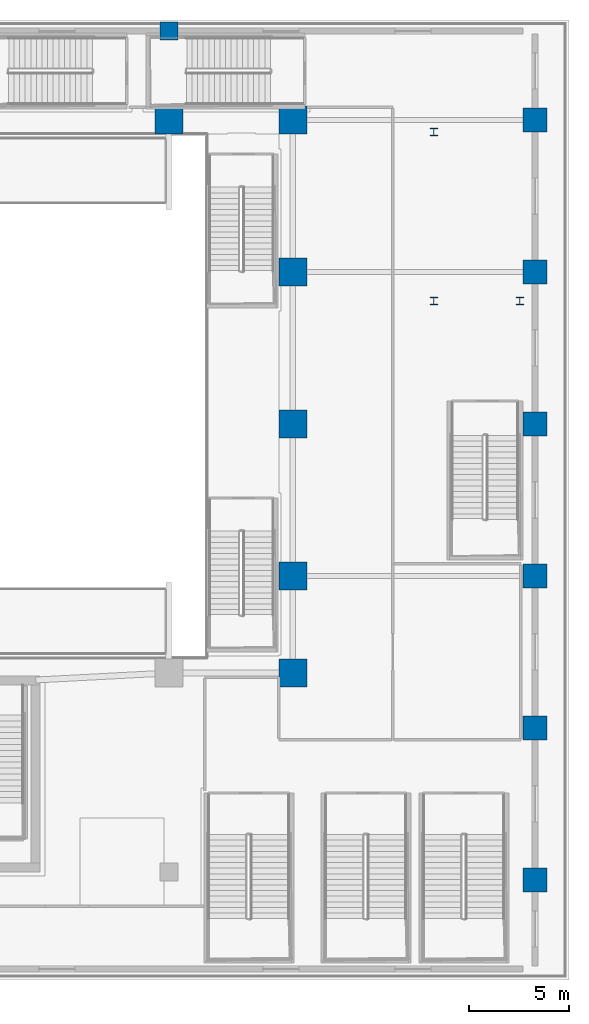
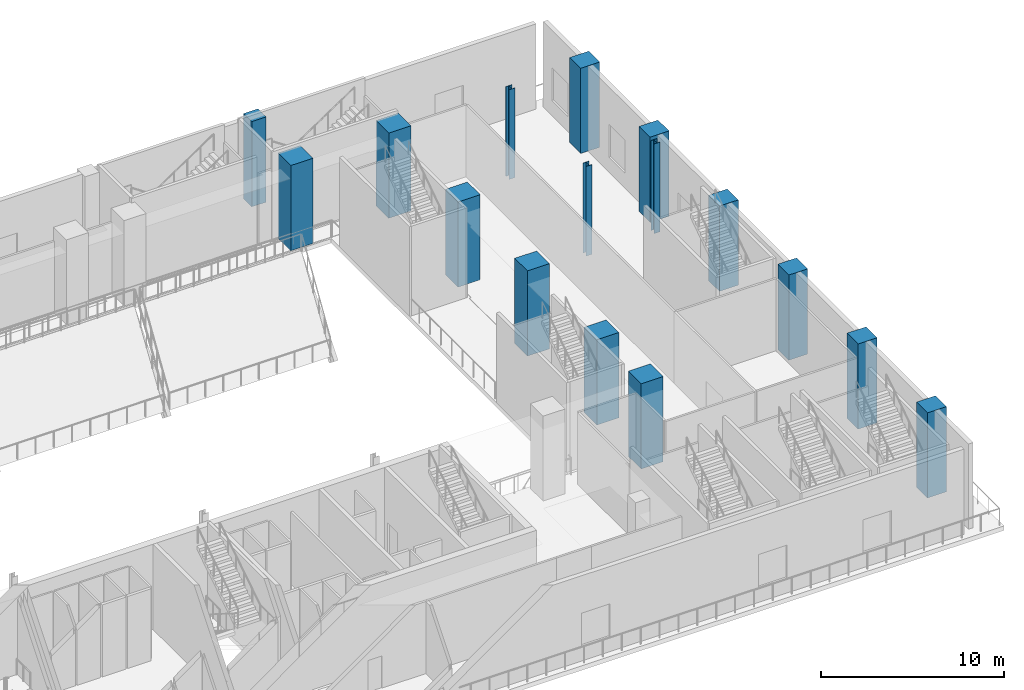
# One storey, part 4 of 30: 16 columns.
"""IFC4 building model written with IfcOpenShell, lengths in metres."""

from ifc_helpers import new_model, si_unit, direction, frame, origin, origin_2d, place, context, subcontext, project, spatial, rectangle, i_section, extrude, material, material_profile, profile_set, type_object, element, save


model = new_model("IFC4")

# Units and contexts
model_context = context("Model", 3, precision=1e-05, world=origin(), true_north=direction((0.0, 1.0)))
body_context = subcontext(model_context, "Body", "Model", "MODEL_VIEW")
ifc_project = project(units=[si_unit("LENGTHUNIT", "METRE"), si_unit("AREAUNIT", "SQUARE_METRE"), si_unit("VOLUMEUNIT", "CUBIC_METRE"), si_unit("PLANEANGLEUNIT", "RADIAN"), si_unit("MASSUNIT", "GRAM", prefix="KILO")], contexts=[model_context])

# Site, building, storey
site_placement = place(None, origin())
site = spatial("IfcSite", under=ifc_project, at=site_placement, CompositionType="ELEMENT")
building_placement = place(site_placement, origin())
building = spatial("IfcBuilding", under=site, at=building_placement, Name="Ndaravel Arena Tower", CompositionType="ELEMENT")
storey_placement = place(building_placement, frame((0.0, 0.0, 6.0)))
storey = spatial("IfcBuildingStorey", under=building, at=storey_placement, Name="L01", CompositionType="ELEMENT", Elevation=6.0)

# Columns
ifc_material_1 = material(Name="Concrete C40/50", Category="concrete")
ifc_material_profile_1 = material_profile(ifc_material_1, rectangle(XDim=0.89990234375, YDim=0.89990234375, at=origin_2d()), Name="RC 900x900")
ifc_profile_set_1 = profile_set([ifc_material_profile_1], Name="Concrete C40/50")
column_type_1 = type_object("IfcColumnType", Name="COL-BSMT-RC900", PredefinedType="COLUMN", material=ifc_profile_set_1)
column_placement = place(storey_placement, frame((64.0, 47.449951171875, 0.0), z_axis=(0.0, 0.0, 1.0), x_axis=(1.0, 0.0, 0.0)))
element("IfcColumn", 1, at=column_placement, inside=storey, type_object=column_type_1, Name="L01 North Concourse Column 5", PredefinedType="COLUMN", context=body_context, shape_type="SweptSolid", body=[
    extrude(rectangle(XDim=0.89990234375, YDim=0.89990234375, at=origin_2d()), origin(), (0.0, 0.0, 1.0), 5.699951171875),
])
ifc_material_2 = material(Name="Steel S355", Category="steel")
ifc_material_profile_2 = material_profile(ifc_material_2, i_section(OverallWidth=0.374755859375, OverallDepth=0.37451171875, WebThickness=0.0166015625, FlangeThickness=0.027099609375, FilletRadius=0.01513671875, at=origin_2d()), Name="UC 356x368x202")
ifc_profile_set_2 = profile_set([ifc_material_profile_2], Name="Steel S355")
column_type_2 = type_object("IfcColumnType", Name="COL-CRN-UC202", PredefinedType="COLUMN", material=ifc_profile_set_2)
for number, where, z_axis, x_axis, name in (
    (2, (77.25, 33.949951171875, 0.0), (0.0, 0.0, 1.0), (1.0, 0.0, 0.0), "L01 Garden Stair ST-GDN-2 Pier 1.1"),
    (3, (77.25, 42.39990234375, 0.0), (0.0, 0.0, 1.0), (1.0, 0.0, 0.0), "L01 Garden Stair ST-GDN-2 Pier 1.2"),
    (4, (81.550048828125, 33.949951171875, 0.0), (0.0, 0.0, 1.0), (1.0, 0.0, 0.0), "L01 Garden Stair ST-GDN-2 Pier 2.1"),
):
    element("IfcColumn", number, at=place(storey_placement, frame(where, z_axis=z_axis, x_axis=x_axis)), inside=storey, type_object=column_type_2, Name=name, PredefinedType="COLUMN", context=body_context, shape_type="SweptSolid", body=[
        extrude(i_section(OverallWidth=0.374755859375, OverallDepth=0.37451171875, WebThickness=0.0166015625, FlangeThickness=0.027099609375, FilletRadius=0.01513671875, at=origin_2d()), origin(), (0.0, 0.0, 1.0), 6.0),
    ])
ifc_material_3 = material(Name="Concrete C60/75", Category="concrete")
ifc_material_profile_3 = material_profile(ifc_material_3, rectangle(XDim=1.199951171875, YDim=1.199951171875, at=origin_2d()), Name="RC 1200x1200")
ifc_profile_set_3 = profile_set([ifc_material_profile_3], Name="Concrete C60/75")
column_type_3 = type_object("IfcColumnType", Name="COL-MEGA-RC1200", PredefinedType="COLUMN", material=ifc_profile_set_3)
for number, where, z_axis, x_axis, name in (
    (5, (82.300048828125, 5.0, 0.0), (0.0, 0.0, 1.0), (1.0, 0.0, 0.0), "L01 Perimeter Mega Column 07"),
    (6, (82.300048828125, 12.60009765625, 0.0), (0.0, 0.0, 1.0), (1.0, 0.0, 0.0), "L01 Perimeter Mega Column 08"),
    (7, (82.300048828125, 20.199951171875, 0.0), (0.0, 0.0, 1.0), (1.0, 0.0, 0.0), "L01 Perimeter Mega Column 09"),
    (8, (82.300048828125, 27.800048828125, 0.0), (0.0, 0.0, 1.0), (1.0, 0.0, 0.0), "L01 Perimeter Mega Column 10"),
    (9, (82.300048828125, 35.39990234375, 0.0), (0.0, 0.0, 1.0), (1.0, 0.0, 0.0), "L01 Perimeter Mega Column 11"),
    (10, (82.300048828125, 43.0, 0.0), (0.0, 0.0, 1.0), (1.0, 0.0, 0.0), "L01 Perimeter Mega Column 12"),
):
    element("IfcColumn", number, at=place(storey_placement, frame(where, z_axis=z_axis, x_axis=x_axis)), inside=storey, type_object=column_type_3, Name=name, PredefinedType="COLUMN", context=body_context, shape_type="SweptSolid", body=[
        extrude(rectangle(XDim=1.199951171875, YDim=1.199951171875, at=origin_2d()), origin(), (0.0, 0.0, 1.0), 5.699951171875),
    ])
ifc_material_4 = material(Name="Concrete C60/75", Category="concrete")
ifc_material_profile_4 = material_profile(ifc_material_4, rectangle(XDim=1.39990234375, YDim=1.39990234375, at=origin_2d()), Name="RC 1400x1400")
ifc_profile_set_4 = profile_set([ifc_material_profile_4], Name="Concrete C60/75")
column_type_4 = type_object("IfcColumnType", Name="COL-MEGA-RC1400", PredefinedType="COLUMN", material=ifc_profile_set_4)
for number, where, z_axis, x_axis, name in (
    (11, (70.199951171875, 15.35009765625, 0.0), (0.0, 0.0, 1.0), (1.0, 0.0, 0.0), "L01 Arena Ring Mega Column 06"),
    (12, (70.199951171875, 20.199951171875, 0.0), (0.0, 0.0, 1.0), (1.0, 0.0, 0.0), "L01 Arena Ring Mega Column 07"),
    (13, (70.199951171875, 27.800048828125, 0.0), (0.0, 0.0, 1.0), (1.0, 0.0, 0.0), "L01 Arena Ring Mega Column 08"),
    (14, (70.199951171875, 35.39990234375, 0.0), (0.0, 0.0, 1.0), (1.0, 0.0, 0.0), "L01 Arena Ring Mega Column 09"),
    (15, (70.199951171875, 43.0, 0.0), (0.0, 0.0, 1.0), (1.0, 0.0, 0.0), "L01 Arena Ring Mega Column 10"),
    (16, (64.0, 43.0, 0.0), (0.0, 0.0, 1.0), (1.0, 0.0, 0.0), "L01 Arena Ring Mega Column 19"),
):
    element("IfcColumn", number, at=place(storey_placement, frame(where, z_axis=z_axis, x_axis=x_axis)), inside=storey, type_object=column_type_4, Name=name, PredefinedType="COLUMN", context=body_context, shape_type="SweptSolid", body=[
        extrude(rectangle(XDim=1.39990234375, YDim=1.39990234375, at=origin_2d()), origin(), (0.0, 0.0, 1.0), 5.699951171875),
    ])

save(model, "model.ifc")
